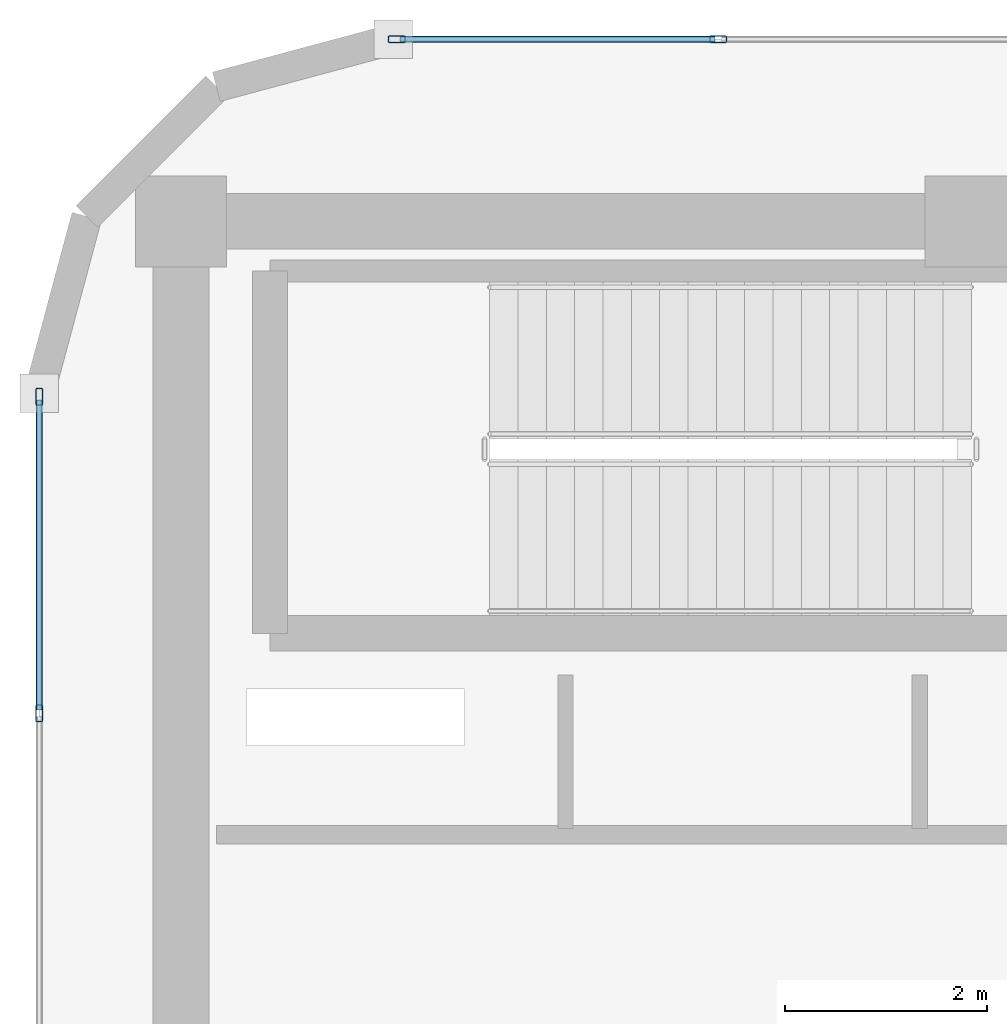
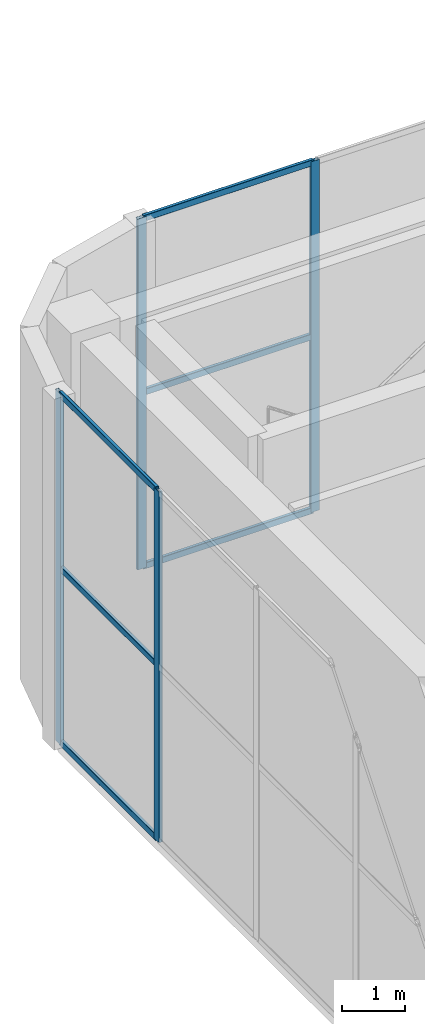
# One storey, part 12 of 23: 10 members, 2 elements without a shape of their own.
"""IFC4 building model written with IfcOpenShell, lengths in metres."""

from ifc_helpers import new_model, si_unit, direction, frame, origin, origin_2d, place, context, subcontext, project, spatial, hollow_rectangle, extrude, material, layer, layer_set, material_profile, profile_set, type_object, element, aggregate, save


model = new_model("IFC4")

# Units and contexts
model_context = context("Model", 3, precision=1e-05, world=origin(), true_north=direction((0.0, 1.0)))
body_context = subcontext(model_context, "Body", "Model", "MODEL_VIEW")
ifc_project = project(units=[si_unit("LENGTHUNIT", "METRE"), si_unit("AREAUNIT", "SQUARE_METRE"), si_unit("VOLUMEUNIT", "CUBIC_METRE"), si_unit("PLANEANGLEUNIT", "RADIAN"), si_unit("MASSUNIT", "GRAM", prefix="KILO")], contexts=[model_context])

# Site, building, storey
site_placement = place(None, origin())
site = spatial("IfcSite", under=ifc_project, at=site_placement, CompositionType="ELEMENT")
building_placement = place(site_placement, origin())
building = spatial("IfcBuilding", under=site, at=building_placement, Name="An Khanh Terracotta Commons", CompositionType="ELEMENT")
storey_placement = place(building_placement, frame((0.0, 0.0, 322.0)))
storey = spatial("IfcBuildingStorey", under=building, at=storey_placement, Name="L81 Crown Heat-Recovery Plant", CompositionType="ELEMENT", Elevation=322.0)

# Curtain wall, members
ifc_material = material(Name="Anodised Aluminium 6063-T6", Category="aluminium")
ifc_layer = layer(ifc_material, 0.18994140625, Name="Anodised Aluminium 6063-T6")
ifc_layer_set = layer_set([ifc_layer], Name="Anodised Aluminium 6063-T6")
curtain_wall_type = type_object("IfcCurtainWallType", Name="CW-SYS-06", PredefinedType="USERDEFINED", material=ifc_layer_set)
curtain_wall_1_placement = place(storey_placement, origin())
curtain_wall_1 = element("IfcCurtainWall", 1, at=curtain_wall_1_placement, inside=storey, type_object=curtain_wall_type, Name="L81 Crown Heat-Recovery Plant CW-06 Unitised Curtain Wall CW-L81-20", ObjectType="UNITISED CURTAIN WALL", PredefinedType="USERDEFINED")
ifc_material_profile_1 = material_profile(ifc_material, hollow_rectangle(XDim=0.06494140625, YDim=0.1650390625, WallThickness=0.00390625, InnerFilletRadius=0.00390625, OuterFilletRadius=0.008056640625, at=origin_2d()), Name="RHS165x65x4")
ifc_profile_set_1 = profile_set([ifc_material_profile_1], Name="Anodised Aluminium 6063-T6")
member_type_1 = type_object("IfcMemberType", Name="CWM-RHS165x65x4", PredefinedType="MULLION", material=ifc_profile_set_1)
member_1_placement = place(storey_placement, frame((26.908447265625, 35.39990234375, 0.0), z_axis=(0.0, 0.0, 1.0), x_axis=(0.0, -1.0, 0.0)))
member_1 = element("IfcMember", 2, at=member_1_placement, type_object=member_type_1, Name="CW-06 mullion 8", PredefinedType="MULLION", context=body_context, shape_type="SweptSolid", body=[
    extrude(hollow_rectangle(XDim=0.06494140625, YDim=0.1650390625, WallThickness=0.00390625, InnerFilletRadius=0.00390625, OuterFilletRadius=0.008056640625, at=origin_2d()), origin(), (0.0, 0.0, 1.0), 6.800048828125),
])
member_2_placement = place(storey_placement, frame((23.732421875, 35.39990234375, 0.0), z_axis=(0.0, 0.0, 1.0), x_axis=(0.0, -1.0, 0.0)))
member_2 = element("IfcMember", 3, at=member_2_placement, type_object=member_type_1, Name="CW-06 mullion 9", PredefinedType="MULLION", context=body_context, shape_type="SweptSolid", body=[
    extrude(hollow_rectangle(XDim=0.06494140625, YDim=0.1650390625, WallThickness=0.00390625, InnerFilletRadius=0.00390625, OuterFilletRadius=0.008056640625, at=origin_2d()), origin(), (0.0, 0.0, 1.0), 6.800048828125),
])

curtain_wall_2_placement = place(storey_placement, origin())
curtain_wall_2 = element("IfcCurtainWall", 4, at=curtain_wall_2_placement, inside=storey, type_object=curtain_wall_type, Name="L81 Crown Heat-Recovery Plant CW-06 Unitised Curtain Wall CW-L81-24", ObjectType="UNITISED CURTAIN WALL", PredefinedType="USERDEFINED")
member_3_placement = place(storey_placement, frame((20.199951171875, 31.867431640625, 0.0), z_axis=(0.0, 0.0, 1.0), x_axis=(1.0, 0.0, 0.0)))
member_3 = element("IfcMember", 5, at=member_3_placement, type_object=member_type_1, Name="CW-06 mullion 1", PredefinedType="MULLION", context=body_context, shape_type="SweptSolid", body=[
    extrude(hollow_rectangle(XDim=0.06494140625, YDim=0.1650390625, WallThickness=0.00390625, InnerFilletRadius=0.00390625, OuterFilletRadius=0.008056640625, at=origin_2d()), origin(), (0.0, 0.0, 1.0), 6.800048828125),
])
member_4_placement = place(storey_placement, frame((20.199951171875, 28.739990234375, 0.0), z_axis=(0.0, 0.0, 1.0), x_axis=(1.0, 0.0, 0.0)))
member_4 = element("IfcMember", 6, at=member_4_placement, type_object=member_type_1, Name="CW-06 mullion 2", PredefinedType="MULLION", context=body_context, shape_type="SweptSolid", body=[
    extrude(hollow_rectangle(XDim=0.06494140625, YDim=0.1650390625, WallThickness=0.00390625, InnerFilletRadius=0.00390625, OuterFilletRadius=0.008056640625, at=origin_2d()), origin(), (0.0, 0.0, 1.0), 6.800048828125),
])

# Member
ifc_material_profile_2 = material_profile(ifc_material, hollow_rectangle(XDim=0.06005859375, YDim=0.1201171875, WallThickness=0.003662109375, InnerFilletRadius=0.003662109375, OuterFilletRadius=0.007080078125, at=origin_2d()), Name="RHS120x60x3.6")
ifc_profile_set_2 = profile_set([ifc_material_profile_2], Name="Anodised Aluminium 6063-T6")
member_type_2 = type_object("IfcMemberType", Name="CWT-RHS120x60x3.6", PredefinedType="USERDEFINED", material=ifc_profile_set_2)
member_5_placement = place(storey_placement, frame((26.8759765625, 35.39990234375, 0.030029296875), z_axis=(-1.0, 0.0, 0.0), x_axis=(0.0, -1.0, 0.0)))
member_5 = element("IfcMember", 7, at=member_5_placement, type_object=member_type_2, Name="CW-06 transom 8.1", ObjectType="TRANSOM", PredefinedType="USERDEFINED", context=body_context, shape_type="SweptSolid", body=[
    extrude(hollow_rectangle(XDim=0.06005859375, YDim=0.1201171875, WallThickness=0.003662109375, InnerFilletRadius=0.003662109375, OuterFilletRadius=0.007080078125, at=origin_2d()), origin(), (0.0, 0.0, 1.0), 3.111083984375),
])

member_6_placement = place(storey_placement, frame((26.8759765625, 35.39990234375, 3.39990234375), z_axis=(-1.0, 0.0, 0.0), x_axis=(0.0, -1.0, 0.0)))
member_6 = element("IfcMember", 8, at=member_6_placement, type_object=member_type_2, Name="CW-06 transom 8.2", ObjectType="TRANSOM", PredefinedType="USERDEFINED", context=body_context, shape_type="SweptSolid", body=[
    extrude(hollow_rectangle(XDim=0.06005859375, YDim=0.1201171875, WallThickness=0.003662109375, InnerFilletRadius=0.003662109375, OuterFilletRadius=0.007080078125, at=origin_2d()), origin(), (0.0, 0.0, 1.0), 3.111083984375),
])

member_7_placement = place(storey_placement, frame((26.8759765625, 35.39990234375, 6.77001953125), z_axis=(-1.0, 0.0, 0.0), x_axis=(0.0, -1.0, 0.0)))
member_7 = element("IfcMember", 9, at=member_7_placement, type_object=member_type_2, Name="CW-06 transom 8.3", ObjectType="TRANSOM", PredefinedType="USERDEFINED", context=body_context, shape_type="SweptSolid", body=[
    extrude(hollow_rectangle(XDim=0.06005859375, YDim=0.1201171875, WallThickness=0.003662109375, InnerFilletRadius=0.003662109375, OuterFilletRadius=0.007080078125, at=origin_2d()), origin(), (0.0, 0.0, 1.0), 3.111083984375),
])

aggregate(curtain_wall_1, [member_1, member_2, member_5, member_6, member_7])

member_8_placement = place(storey_placement, frame((20.199951171875, 31.8349609375, 0.030029296875), z_axis=(0.0, -1.0, 0.0), x_axis=(1.0, 0.0, 0.0)))
member_8 = element("IfcMember", 10, at=member_8_placement, type_object=member_type_2, Name="CW-06 transom 1.1", ObjectType="TRANSOM", PredefinedType="USERDEFINED", context=body_context, shape_type="SweptSolid", body=[
    extrude(hollow_rectangle(XDim=0.06005859375, YDim=0.1201171875, WallThickness=0.003662109375, InnerFilletRadius=0.003662109375, OuterFilletRadius=0.007080078125, at=origin_2d()), origin(), (0.0, 0.0, 1.0), 3.0625),
])

member_9_placement = place(storey_placement, frame((20.199951171875, 31.8349609375, 3.39990234375), z_axis=(0.0, -1.0, 0.0), x_axis=(1.0, 0.0, 0.0)))
member_9 = element("IfcMember", 11, at=member_9_placement, type_object=member_type_2, Name="CW-06 transom 1.2", ObjectType="TRANSOM", PredefinedType="USERDEFINED", context=body_context, shape_type="SweptSolid", body=[
    extrude(hollow_rectangle(XDim=0.06005859375, YDim=0.1201171875, WallThickness=0.003662109375, InnerFilletRadius=0.003662109375, OuterFilletRadius=0.007080078125, at=origin_2d()), origin(), (0.0, 0.0, 1.0), 3.0625),
])

member_10_placement = place(storey_placement, frame((20.199951171875, 31.8349609375, 6.77001953125), z_axis=(0.0, -1.0, 0.0), x_axis=(1.0, 0.0, 0.0)))
member_10 = element("IfcMember", 12, at=member_10_placement, type_object=member_type_2, Name="CW-06 transom 1.3", ObjectType="TRANSOM", PredefinedType="USERDEFINED", context=body_context, shape_type="SweptSolid", body=[
    extrude(hollow_rectangle(XDim=0.06005859375, YDim=0.1201171875, WallThickness=0.003662109375, InnerFilletRadius=0.003662109375, OuterFilletRadius=0.007080078125, at=origin_2d()), origin(), (0.0, 0.0, 1.0), 3.0625),
])

aggregate(curtain_wall_2, [member_3, member_4, member_8, member_9, member_10])

save(model, "model.ifc")
